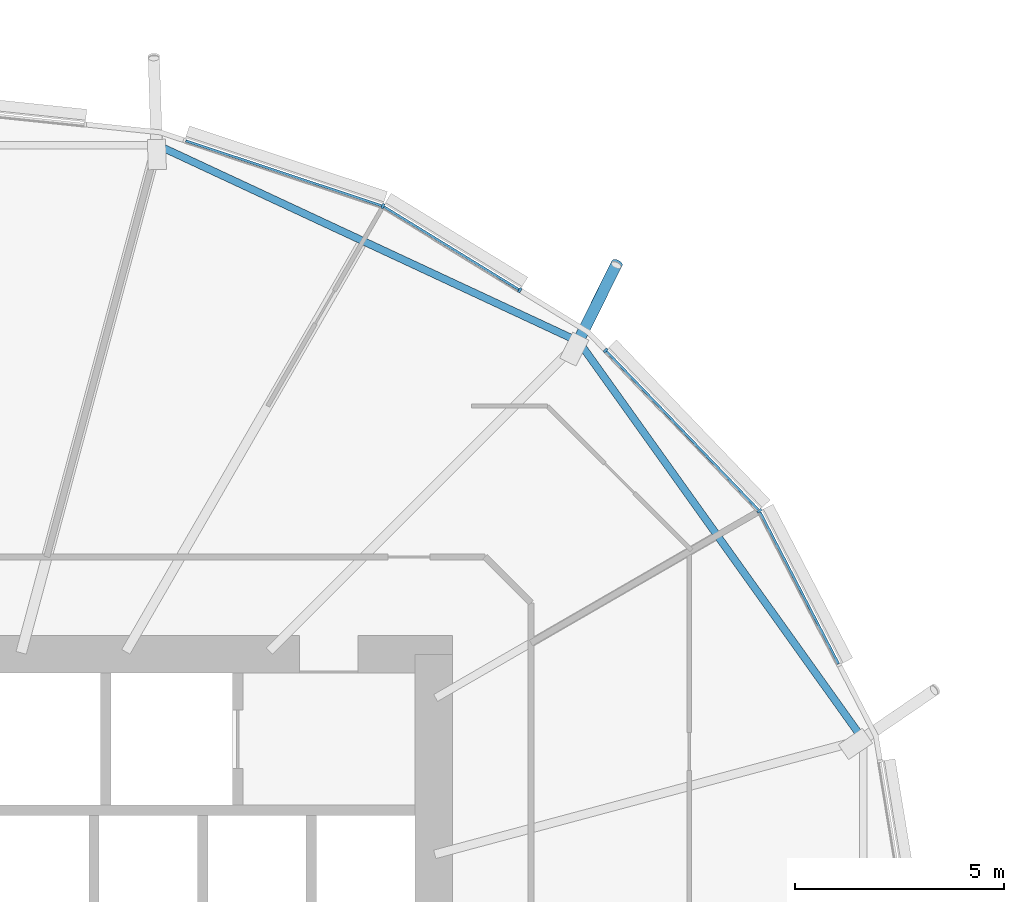
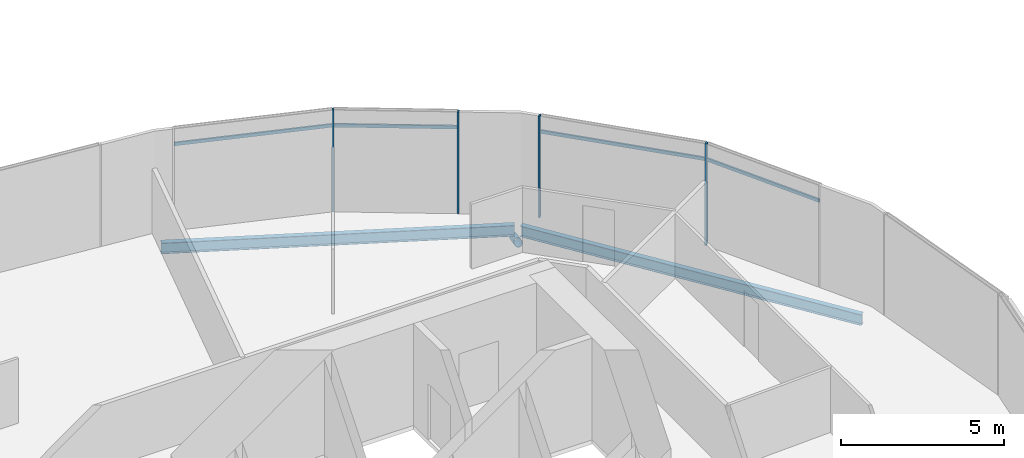
# One storey, part 10 of 38: 9 members, 2 beams, 1 element without a shape of its own.
"""IFC4 building model written with IfcOpenShell, lengths in metres."""

import ifcopenshell
import ifcopenshell.guid

model = None  # the IFC model being written
_history = None  # IfcOwnerHistory: only IFC2X3 demands one
_inside = {}  # id of a spatial element -> (the spatial element, [elements in it])
_under = {}  # id of a project, library or spatial element -> (it, [spatial elements below it])
_declared = {}  # id of a project -> (the project, [libraries it declares])
_typed = {}  # id of a type object -> (the type object, [elements of that type])
_made_of = {}  # id of a material, layer set ... -> (it, [elements and type objects made of it])


def new_model(schema):
    """Start an empty IFC model of exactly this schema.

    Asked for "IFC4X3", IfcOpenShell would pick the latest addendum, in which some entities
    have other attributes; the version numbers below select the first issue.
    IFC2X3 requires an IfcOwnerHistory on every rooted entity: one is made here for all.
    """
    global model, _history
    if schema == "IFC4X3":
        model = ifcopenshell.file(schema_version=(4, 3, 0, 0))
    else:
        model = ifcopenshell.file(schema=schema)
    _inside.clear()
    _under.clear()
    _declared.clear()
    _typed.clear()
    _made_of.clear()
    _history = None
    if model.schema == "IFC2X3":
        org = make("IfcOrganization", Name="unknown")
        user = make(
            "IfcPersonAndOrganization",
            ThePerson=make("IfcPerson", FamilyName="unknown"),
            TheOrganization=org,
        )
        app = make(
            "IfcApplication",
            ApplicationDeveloper=org,
            Version="unknown",
            ApplicationFullName="unknown",
            ApplicationIdentifier="unknown",
        )
        _history = make(
            "IfcOwnerHistory",
            OwningUser=user,
            OwningApplication=app,
            ChangeAction="ADDED",
            CreationDate=0,
        )
    return model


def make(cls, **values):
    """One entity of the class cls with the attributes given. An attribute that is None is left unset."""
    return model.create_entity(
        cls, **{name: value for name, value in values.items() if value is not None}
    )


def rooted(cls, **values):
    """An entity with a GlobalId (a new one), such as an element, a storey or a relation."""
    return make(cls, GlobalId=ifcopenshell.guid.new(), OwnerHistory=_history, **values)


def si_unit(unit_type, name, prefix=None):
    """IfcSIUnit, for example si_unit("LENGTHUNIT", "METRE", prefix="MILLI")."""
    return make("IfcSIUnit", UnitType=unit_type, Prefix=prefix, Name=name)


def assignment(units):
    """IfcUnitAssignment: the units of a project."""
    return None if units is None else make("IfcUnitAssignment", Units=units)


def point(xyz):
    """IfcCartesianPoint."""
    return None if xyz is None else make("IfcCartesianPoint", Coordinates=xyz)


def direction(xyz):
    """IfcDirection."""
    return None if xyz is None else make("IfcDirection", DirectionRatios=xyz)


def frame(location, z_axis=None, x_axis=None):
    """IfcAxis2Placement3D, a coordinate frame: its origin and axes. An axis left out is left unset."""
    return make(
        "IfcAxis2Placement3D",
        Location=point(location),
        Axis=direction(z_axis),
        RefDirection=direction(x_axis),
    )


def frame_2d(location, x_axis=None):
    """IfcAxis2Placement2D, a coordinate frame in the plane: its origin and x axis."""
    return make(
        "IfcAxis2Placement2D", Location=point(location), RefDirection=direction(x_axis)
    )


def origin():
    """The frame at (0, 0, 0) with its axes left unset."""
    return frame((0.0, 0.0, 0.0))


def origin_2d():
    """The frame at (0, 0) in the plane with its x axis left unset."""
    return frame_2d((0.0, 0.0))


def place(relative_to, where):
    """IfcLocalPlacement: puts the frame where relative to a parent placement (None: the world)."""
    return make(
        "IfcLocalPlacement", PlacementRelTo=relative_to, RelativePlacement=where
    )


def context(
    kind, dimensions, precision=None, world=None, true_north=None, identifier=None
):
    """IfcGeometricRepresentationContext, for example the 3D "Model" context."""
    return make(
        "IfcGeometricRepresentationContext",
        ContextIdentifier=identifier,
        ContextType=kind,
        CoordinateSpaceDimension=dimensions,
        Precision=precision,
        WorldCoordinateSystem=world,
        TrueNorth=true_north,
    )


def subcontext(parent, identifier, kind, view, scale=None):
    """IfcGeometricRepresentationSubContext, for example "Body" below "Model"."""
    return make(
        "IfcGeometricRepresentationSubContext",
        ContextIdentifier=identifier,
        ContextType=kind,
        ParentContext=parent,
        TargetScale=scale,
        TargetView=view,
    )


def project(units=None, contexts=None):
    """IfcProject with its units and contexts."""
    return rooted(
        "IfcProject",
        Name="project",
        RepresentationContexts=contexts,
        UnitsInContext=assignment(units),
    )


def spatial(cls, under=None, at=None, **own):
    """A site, building, storey or space (cls), placed at a placement, below another one or the project."""
    s = rooted(cls, ObjectPlacement=at, **own)
    if under is not None:
        _under.setdefault(under.id(), (under, []))[1].append(s)
    return s


def profile(cls, at=None, kind="AREA", **sizes):
    """A parametric profile (cls). Its sizes go by their IFC names, for example OverallWidth=200.0."""
    return make(cls, ProfileType=kind, Position=at, **sizes)


def rectangle(**sizes):
    """IfcRectangleProfileDef."""
    return profile("IfcRectangleProfileDef", **sizes)


def hollow_circle(**sizes):
    """IfcCircleHollowProfileDef."""
    return profile("IfcCircleHollowProfileDef", **sizes)


def i_section(**sizes):
    """IfcIShapeProfileDef."""
    return profile("IfcIShapeProfileDef", **sizes)


def extrude(swept, where, along, depth):
    """IfcExtrudedAreaSolid: the profile swept, set in the frame where, extruded along a direction by depth."""
    return make(
        "IfcExtrudedAreaSolid",
        SweptArea=swept,
        Position=where,
        ExtrudedDirection=direction(along),
        Depth=depth,
    )


def clip(a, b, op="DIFFERENCE"):
    """IfcBooleanClippingResult: the solid a cut by the half space b."""
    return make(
        "IfcBooleanClippingResult", Operator=op, FirstOperand=a, SecondOperand=b
    )


def halfspace(plane, agree):
    """IfcHalfSpaceSolid: all space on one side of the plane z = 0 of the frame plane."""
    return make(
        "IfcHalfSpaceSolid",
        BaseSurface=make("IfcPlane", Position=plane),
        AgreementFlag=agree,
    )


def shape(context_of_items, identifier, shape_type, items):
    """IfcShapeRepresentation: the items that make up one representation, for example the "Body"."""
    return make(
        "IfcShapeRepresentation",
        ContextOfItems=context_of_items,
        RepresentationIdentifier=identifier,
        RepresentationType=shape_type,
        Items=items,
    )


def material(Name=None, Category=None):
    """IfcMaterial."""
    return make("IfcMaterial", Name=Name, Category=Category)


def material_profile(
    of_material, cross_section, Name=None, Category=None, Priority=None
):
    """IfcMaterialProfile: a cross section and its material."""
    return make(
        "IfcMaterialProfile",
        Name=Name,
        Material=of_material,
        Profile=cross_section,
        Priority=Priority,
        Category=Category,
    )


def profile_set(profiles, Name=None, composite=None):
    """IfcMaterialProfileSet."""
    return make(
        "IfcMaterialProfileSet",
        Name=Name,
        MaterialProfiles=profiles,
        CompositeProfile=composite,
    )


def made_of(thing, what):
    """Note that an element or type object is made of a material, layer set ...; save() writes the relation."""
    if what is not None:
        _made_of.setdefault(what.id(), (what, []))[1].append(thing)
    return thing


def type_object(cls, material=None, **own):
    """A type object (cls), such as IfcWallType, which elements share."""
    return made_of(rooted(cls, **own), material)


def element(
    cls,
    number,
    at=None,
    inside=None,
    cuts=None,
    type_object=None,
    material=None,
    context=None,
    identifier="Body",
    shape_type=None,
    held_by="IfcProductDefinitionShape",
    body=None,
    shapes=None,
    **own,
):
    """One element of the class cls, such as IfcWall. Its Tag is "e" and its number.

    at: its placement. inside: the storey or other place that contains it. cuts: it is an
    opening in that element (IfcRelVoidsElement). A single representation is given by context,
    identifier, shape_type and body (its items); several are given by shapes. held_by: the class
    of the entity that holds the representations. save() writes the other relations.
    """
    e = rooted(cls, Tag="e%d" % number, ObjectPlacement=at, **own)
    if body is not None:
        shapes = [shape(context, identifier, shape_type, body)]
    if shapes is not None:
        e.Representation = make(held_by, Representations=shapes)
    if inside is not None:
        _inside.setdefault(inside.id(), (inside, []))[1].append(e)
    if cuts is not None:
        rooted(
            "IfcRelVoidsElement", RelatingBuildingElement=cuts, RelatedOpeningElement=e
        )
    if type_object is not None:
        _typed.setdefault(type_object.id(), (type_object, []))[1].append(e)
    return made_of(e, material)


def aggregate(whole, parts):
    """IfcRelAggregates: a whole, such as a stair, and the parts it consists of."""
    return rooted("IfcRelAggregates", RelatingObject=whole, RelatedObjects=parts)


def save(model, path):
    """Write the relations noted so far, then the file.

    IfcRelAggregates (storeys below a building ...), IfcRelContainedInSpatialStructure (elements
    in a storey), IfcRelDefinesByType, IfcRelAssociatesMaterial and IfcRelDeclares: one each for
    every whole, place, type object, material and project.
    """
    for whole, parts in _under.values():
        aggregate(whole, parts)
    for where, things in _inside.values():
        rooted(
            "IfcRelContainedInSpatialStructure",
            RelatedElements=things,
            RelatingStructure=where,
        )
    for kind, things in _typed.values():
        rooted("IfcRelDefinesByType", RelatedObjects=things, RelatingType=kind)
    for what, things in _made_of.values():
        rooted("IfcRelAssociatesMaterial", RelatedObjects=things, RelatingMaterial=what)
    for by, libraries in _declared.values():
        rooted("IfcRelDeclares", RelatingContext=by, RelatedDefinitions=libraries)
    model.write(path)


model = new_model("IFC4")

# Units and contexts
model_context = context("Model", 3, precision=1e-05, world=origin(), true_north=direction((0.0, 1.0)))
body_context = subcontext(model_context, "Body", "Model", "MODEL_VIEW")
ifc_project = project(units=[si_unit("LENGTHUNIT", "METRE"), si_unit("AREAUNIT", "SQUARE_METRE"), si_unit("VOLUMEUNIT", "CUBIC_METRE"), si_unit("PLANEANGLEUNIT", "RADIAN"), si_unit("MASSUNIT", "GRAM", prefix="KILO")], contexts=[model_context])

# Site, building, storey
site_placement = place(None, origin())
site = spatial("IfcSite", under=ifc_project, at=site_placement, CompositionType="ELEMENT")
building_placement = place(site_placement, origin())
building = spatial("IfcBuilding", under=site, at=building_placement, Name="Rimbun Link Towers", CompositionType="ELEMENT")
storey_placement = place(building_placement, frame((0.0, 0.0, 68.0)))
storey = spatial("IfcBuildingStorey", under=building, at=storey_placement, Name="L16", CompositionType="ELEMENT", Elevation=68.0)

# Curtain wall, members
ifc_material_1 = material(Name="Aluminium 6063-T6 and low-iron glass", Category="aluminium")
curtain_wall_type = type_object("IfcCurtainWallType", Name="CW1 unitised vision wall", PredefinedType="NOTDEFINED", material=ifc_material_1)
curtain_wall_placement = place(storey_placement, origin())
curtain_wall = element("IfcCurtainWall", 1, at=curtain_wall_placement, inside=storey, type_object=curtain_wall_type, Name="CW1 L16 T1", PredefinedType="NOTDEFINED")
ifc_material_2 = material(Name="Aluminium 6063-T6", Category="aluminium")
ifc_material_profile_1 = material_profile(ifc_material_2, rectangle(XDim=0.1201171875, YDim=0.06005859375, at=origin_2d()), Name="MULLION 60X120")
ifc_profile_set_1 = profile_set([ifc_material_profile_1], Name="Aluminium 6063-T6")
member_type_1 = type_object("IfcMemberType", Name="CW1 mullion 60X120", PredefinedType="MULLION", material=ifc_profile_set_1)
member_1_placement = place(storey_placement, frame((-11.972412109375, 11.42529296875, 0.0), z_axis=(0.0, 0.0, 1.0), x_axis=(0.813351214919, 0.581772980801, 0.0)))
member_1 = element("IfcMember", 2, at=member_1_placement, type_object=member_type_1, Name="CW1 mullion", PredefinedType="MULLION", context=body_context, shape_type="SweptSolid", body=[
    extrude(rectangle(XDim=0.1201171875, YDim=0.06005859375, at=origin_2d()), origin(), (0.0, 0.0, 1.0), 3.800048828125),
])
member_2_placement = place(storey_placement, frame((-15.643798828125, 15.256103515625, 0.0), z_axis=(0.0, 0.0, 1.0), x_axis=(0.721854427226, 0.692044930546, 0.0)))
member_2 = element("IfcMember", 3, at=member_2_placement, type_object=member_type_1, Name="CW1 mullion", PredefinedType="MULLION", context=body_context, shape_type="SweptSolid", body=[
    extrude(rectangle(XDim=0.1201171875, YDim=0.06005859375, at=origin_2d()), origin(), (0.0, 0.0, 1.0), 3.800048828125),
])
member_3_placement = place(storey_placement, frame((-20.959716796875, 18.699951171875, 0.0), z_axis=(0.0, 0.0, 1.0), x_axis=(0.421698890318, 0.906735929532, 0.0)))
member_3 = element("IfcMember", 4, at=member_3_placement, type_object=member_type_1, Name="CW1 mullion", PredefinedType="MULLION", context=body_context, shape_type="SweptSolid", body=[
    extrude(rectangle(XDim=0.1201171875, YDim=0.06005859375, at=origin_2d()), origin(), (0.0, 0.0, 1.0), 3.800048828125),
])
member_4_placement = place(storey_placement, frame((-17.690185546875, 16.69287109375, 0.0), z_axis=(0.0, 0.0, 1.0), x_axis=(0.523239240316, 0.852185835011, 0.0)))
member_4 = element("IfcMember", 5, at=member_4_placement, type_object=member_type_1, Name="CW1 mullion", PredefinedType="MULLION", context=body_context, shape_type="SweptSolid", body=[
    extrude(rectangle(XDim=0.1201171875, YDim=0.06005859375, at=origin_2d()), origin(), (0.0, 0.0, 1.0), 3.800048828125),
])
ifc_material_3 = material(Name="Aluminium 6063-T6", Category="aluminium")
ifc_material_profile_2 = material_profile(ifc_material_3, rectangle(XDim=0.06005859375, YDim=0.1201171875, at=origin_2d()), Name="TRANSOM 60X120")
ifc_profile_set_2 = profile_set([ifc_material_profile_2], Name="Aluminium 6063-T6")
member_type_2 = type_object("IfcMemberType", Name="CW1 transom 60X120", PredefinedType="USERDEFINED", material=ifc_profile_set_2)
member_5_placement = place(storey_placement, frame((-11.955810546875, 11.390625, 3.199951171875), z_axis=(0.45955652042, -0.888148526171, 0.0), x_axis=(0.888148526171, 0.45955652042, 0.0)))
member_5 = element("IfcMember", 6, at=member_5_placement, type_object=member_type_2, Name="CW1 transom", ObjectType="TRANSOM", PredefinedType="USERDEFINED", context=body_context, shape_type="SweptSolid", body=[
    extrude(rectangle(XDim=0.06005859375, YDim=0.1201171875, at=origin_2d()), origin(), (0.0, 0.0, 1.0), 4.076416015625),
])
member_6_placement = place(storey_placement, frame((-15.62451171875, 15.23291015625, 3.199951171875), z_axis=(0.692056205714, -0.721843617505, 0.0), x_axis=(0.721843617505, 0.692056205714, 0.0)))
member_6 = element("IfcMember", 7, at=member_6_placement, type_object=member_type_2, Name="CW1 transom", ObjectType="TRANSOM", PredefinedType="USERDEFINED", context=body_context, shape_type="SweptSolid", body=[
    extrude(rectangle(XDim=0.06005859375, YDim=0.1201171875, at=origin_2d()), origin(), (0.0, 0.0, 1.0), 5.2373046875),
])
member_7_placement = place(storey_placement, frame((-20.92919921875, 18.67919921875, 3.199951171875), z_axis=(0.852184905229, -0.523240754624, 0.0), x_axis=(0.523240754624, 0.852184905229, 0.0)))
member_7 = element("IfcMember", 8, at=member_7_placement, type_object=member_type_2, Name="CW1 transom", ObjectType="TRANSOM", PredefinedType="USERDEFINED", context=body_context, shape_type="SweptSolid", body=[
    extrude(rectangle(XDim=0.06005859375, YDim=0.1201171875, at=origin_2d()), origin(), (0.0, 0.0, 1.0), 3.76953125),
])
member_8_placement = place(storey_placement, frame((-25.667236328125, 20.25830078125, 3.199951171875), z_axis=(0.949232441731, -0.314575541906, 0.0), x_axis=(0.314575541906, 0.949232441731, 0.0)))
member_8 = element("IfcMember", 9, at=member_8_placement, type_object=member_type_2, Name="CW1 transom", ObjectType="TRANSOM", PredefinedType="USERDEFINED", context=body_context, shape_type="SweptSolid", body=[
    extrude(rectangle(XDim=0.06005859375, YDim=0.1201171875, at=origin_2d()), origin(), (0.0, 0.0, 1.0), 4.921875),
])
aggregate(curtain_wall, [member_1, member_2, member_3, member_4, member_5, member_6, member_7, member_8])

# Member
ifc_material_4 = material(Name="Steel S355J2H", Category="steel")
ifc_material_profile_3 = material_profile(ifc_material_4, hollow_circle(Radius=0.136474609375, WallThickness=0.012451171875, at=origin_2d()), Name="CHS 273x12.5")
ifc_profile_set_3 = profile_set([ifc_material_profile_3], Name="Steel S355J2H")
member_type_3 = type_object("IfcMemberType", Name="Floor edge link CHS 273x12.5", PredefinedType="BRACE", material=ifc_profile_set_3)
member_9_placement = place(storey_placement, frame((-16.319580078125, 15.430419921875, -0.809814453125), z_axis=(0.382890697055, 0.76744869479, -0.514215144637), x_axis=(-0.894815654671, 0.44643582311, 0.0)))
element("IfcMember", 10, at=member_9_placement, inside=storey, type_object=member_type_3, Name="Floor edge link T1 L16 03", PredefinedType="BRACE", context=body_context, shape_type="Clipping", body=[
    clip(extrude(hollow_circle(Radius=0.136474609375, WallThickness=0.012451171875, at=origin_2d()), frame((0.0, 0.0, -0.474609375)), (0.0, 0.0, 1.0), 2.9638671875), halfspace(frame((0.0, 0.0, -0.22314453125), z_axis=(0.0, 0.857661229756, -0.514215144637)), False)),
])

# Beams
ifc_material_5 = material(Name="Steel S355J2", Category="steel")
ifc_material_profile_4 = material_profile(ifc_material_5, i_section(OverallWidth=0.177978515625, OverallDepth=0.406494140625, WebThickness=0.0078125, FlangeThickness=0.0126953125, at=origin_2d()), Name="UB 406x178x60")
ifc_profile_set_4 = profile_set([ifc_material_profile_4], Name="Steel S355J2")
beam_type = type_object("IfcBeamType", Name="UB 406x178x60", PredefinedType="BEAM", material=ifc_profile_set_4)
beam_1_placement = place(storey_placement, frame((-9.56005859375, 6.05517578125, -0.36328125), z_axis=(-0.581367171952, 0.813641328459, 0.0), x_axis=(-0.813641328459, -0.581367171952, 0.0)))
element("IfcBeam", 11, at=beam_1_placement, inside=storey, type_object=beam_type, Name="Edge beam T1 L16 01-03", PredefinedType="BEAM", context=body_context, shape_type="SweptSolid", body=[
    extrude(i_section(OverallWidth=0.177978515625, OverallDepth=0.406494140625, WebThickness=0.0078125, FlangeThickness=0.0126953125, at=origin_2d()), origin(), (0.0, 0.0, 1.0), 11.458984375),
])
beam_2_placement = place(storey_placement, frame((-16.385986328125, 15.51318359375, -0.36328125), z_axis=(-0.906379422837, 0.422464604266, 0.0), x_axis=(-0.422464604266, -0.906379422837, 0.0)))
element("IfcBeam", 12, at=beam_2_placement, inside=storey, type_object=beam_type, Name="Edge beam T1 L16 03-05", PredefinedType="BEAM", context=body_context, shape_type="SweptSolid", body=[
    extrude(i_section(OverallWidth=0.177978515625, OverallDepth=0.406494140625, WebThickness=0.0078125, FlangeThickness=0.0126953125, at=origin_2d()), origin(), (0.0, 0.0, 1.0), 10.862060546875),
])

save(model, "model.ifc")
